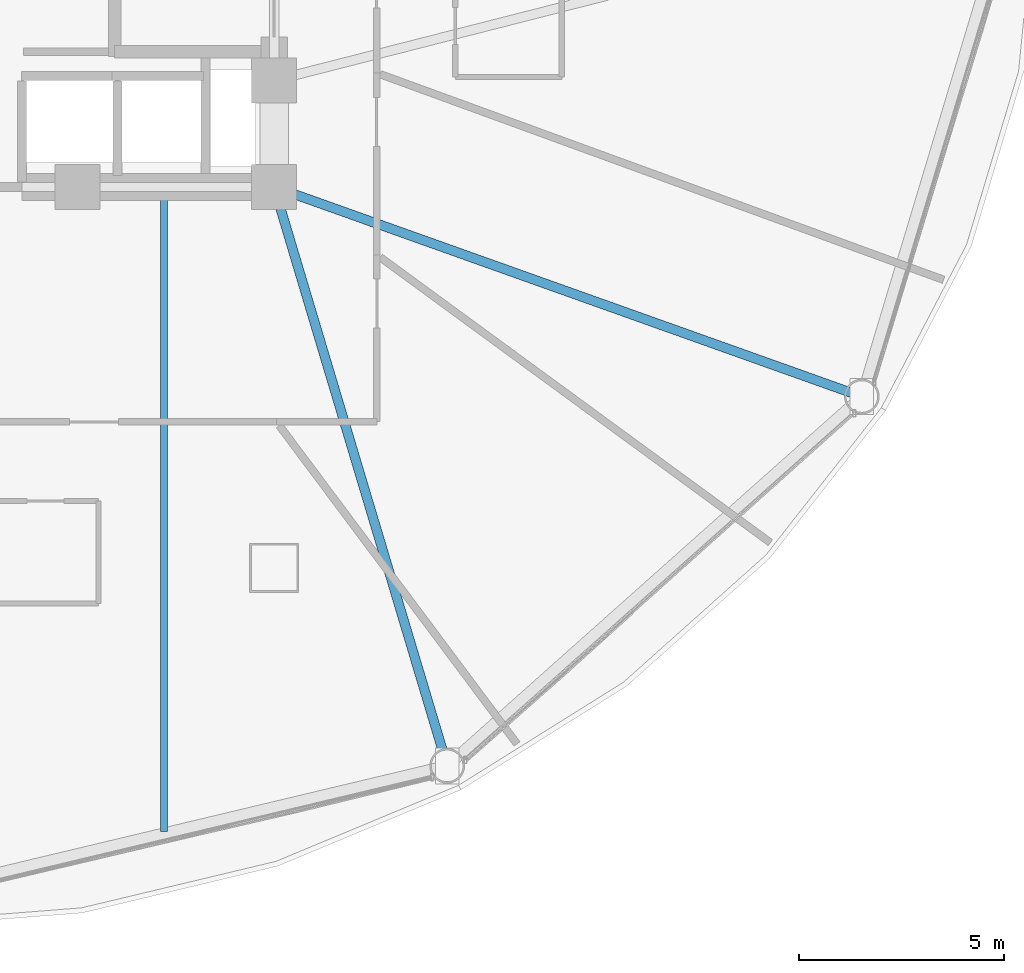
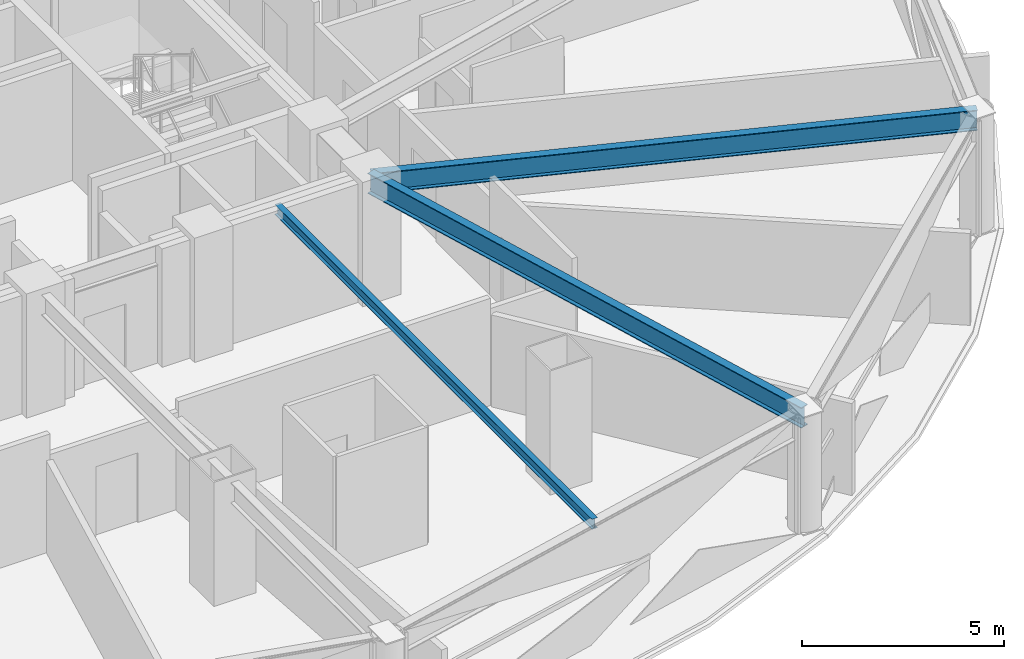
# One storey, part 9 of 33: 3 beams.
"""IFC4 building model written with IfcOpenShell, lengths in metres."""

from ifc_helpers import new_model, si_unit, direction, frame, origin, origin_2d, place, context, subcontext, project, spatial, i_section, extrude, material, material_profile, profile_set, type_object, element, save


model = new_model("IFC4")

# Units and contexts
model_context = context("Model", 3, precision=1e-05, world=origin(), true_north=direction((0.0, 1.0)))
body_context = subcontext(model_context, "Body", "Model", "MODEL_VIEW")
ifc_project = project(units=[si_unit("LENGTHUNIT", "METRE"), si_unit("AREAUNIT", "SQUARE_METRE"), si_unit("VOLUMEUNIT", "CUBIC_METRE"), si_unit("PLANEANGLEUNIT", "RADIAN"), si_unit("MASSUNIT", "GRAM", prefix="KILO")], contexts=[model_context])

# Site, building, storey
site_placement = place(None, origin())
site = spatial("IfcSite", under=ifc_project, at=site_placement, CompositionType="ELEMENT")
building_placement = place(site_placement, origin())
building = spatial("IfcBuilding", under=site, at=building_placement, Name="Vantalir Tower", CompositionType="ELEMENT")
storey_placement = place(building_placement, frame((0.0, 0.0, 68.25)))
storey = spatial("IfcBuildingStorey", under=building, at=storey_placement, Name="L16", CompositionType="ELEMENT", Elevation=68.25)

# Beams
ifc_material = material(Name="Steel S355", Category="steel")
ifc_material_profile_1 = material_profile(ifc_material, i_section(OverallWidth=0.166015625, OverallDepth=0.306884765625, WebThickness=0.006591796875, FlangeThickness=0.01171875, at=origin_2d()), Name="Steel S355")
ifc_profile_set_1 = profile_set([ifc_material_profile_1], Name="Steel S355")
beam_type_1 = type_object("IfcBeamType", Name="BM-JS-305x165", PredefinedType="JOIST", material=ifc_profile_set_1)
beam_1_placement = place(storey_placement, frame((38.412109375, 2.06591796875, 3.416015625), z_axis=(0.0, 1.0, 0.0), x_axis=(-1.0, 0.0, 0.0)))
element("IfcBeam", 1, at=beam_1_placement, inside=storey, type_object=beam_type_1, Name="L16 Composite Trim Joist 02", PredefinedType="JOIST", context=body_context, shape_type="SweptSolid", body=[
    extrude(i_section(OverallWidth=0.166015625, OverallDepth=0.306884765625, WebThickness=0.006591796875, FlangeThickness=0.01171875, at=origin_2d()), origin(), (0.0, 0.0, 1.0), 15.68896484375),
])
ifc_material_profile_2 = material_profile(ifc_material, i_section(OverallWidth=0.22998046875, OverallDepth=0.616943359375, WebThickness=0.01318359375, FlangeThickness=0.022216796875, at=origin_2d()), Name="Steel S355")
ifc_profile_set_2 = profile_set([ifc_material_profile_2], Name="Steel S355")
beam_type_2 = type_object("IfcBeamType", Name="BM-RB-610x229", PredefinedType="BEAM", material=ifc_profile_set_2)
beam_2_placement = place(storey_placement, frame((45.324951171875, 3.6708984375, 3.261962890625), z_axis=(-0.28648356936, 0.958085155133, 0.0), x_axis=(-0.958085155133, -0.28648356936, 0.0)))
element("IfcBeam", 2, at=beam_2_placement, inside=storey, type_object=beam_type_2, Name="L16 Radial Floor Beam 11", PredefinedType="BEAM", context=body_context, shape_type="SweptSolid", body=[
    extrude(i_section(OverallWidth=0.22998046875, OverallDepth=0.616943359375, WebThickness=0.01318359375, FlangeThickness=0.022216796875, at=origin_2d()), origin(), (0.0, 0.0, 1.0), 14.747314453125),
])
beam_3_placement = place(storey_placement, frame((55.446044921875, 12.68505859375, 3.261962890625), z_axis=(-0.941919846836, 0.335837761629, 0.0), x_axis=(-0.335837761629, -0.941919846836, 0.0)))
element("IfcBeam", 3, at=beam_3_placement, inside=storey, type_object=beam_type_2, Name="L16 Radial Floor Beam 12", PredefinedType="BEAM", context=body_context, shape_type="SweptSolid", body=[
    extrude(i_section(OverallWidth=0.22998046875, OverallDepth=0.616943359375, WebThickness=0.01318359375, FlangeThickness=0.022216796875, at=origin_2d()), origin(), (0.0, 0.0, 1.0), 15.23046875),
])

save(model, "model.ifc")
